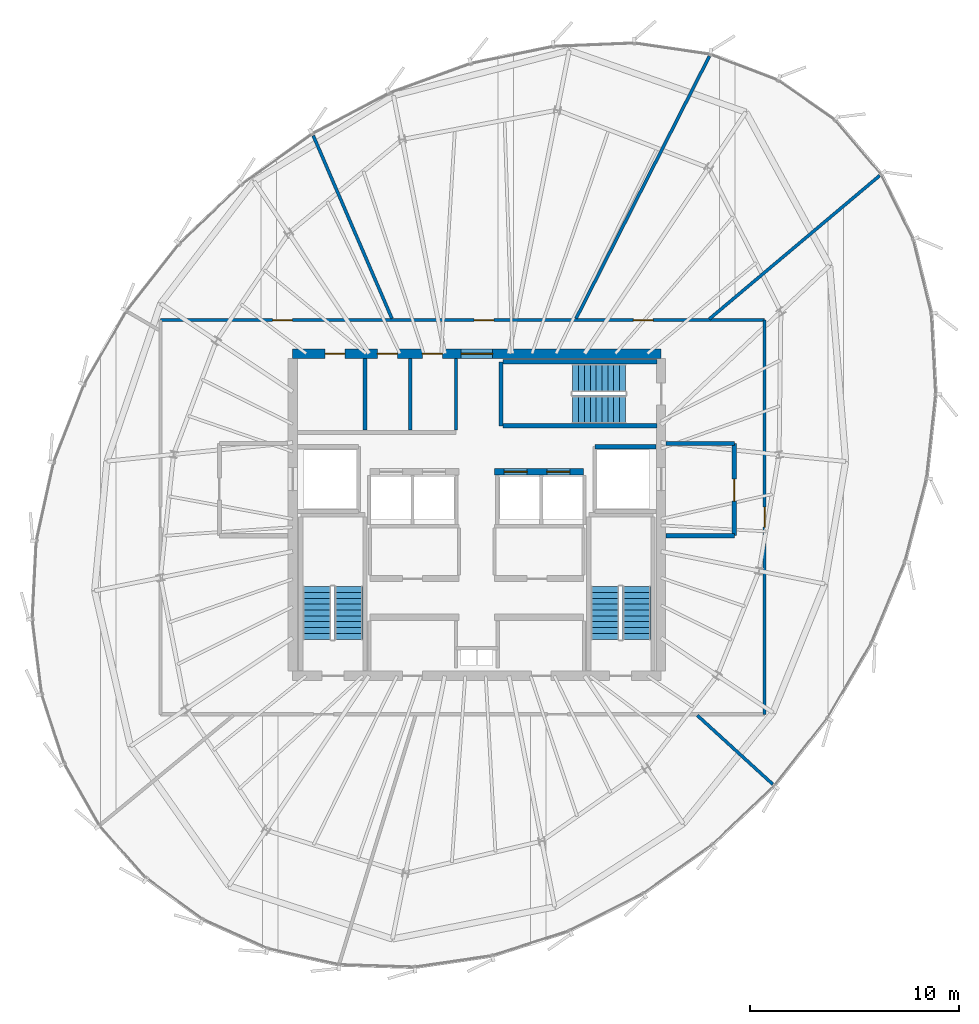
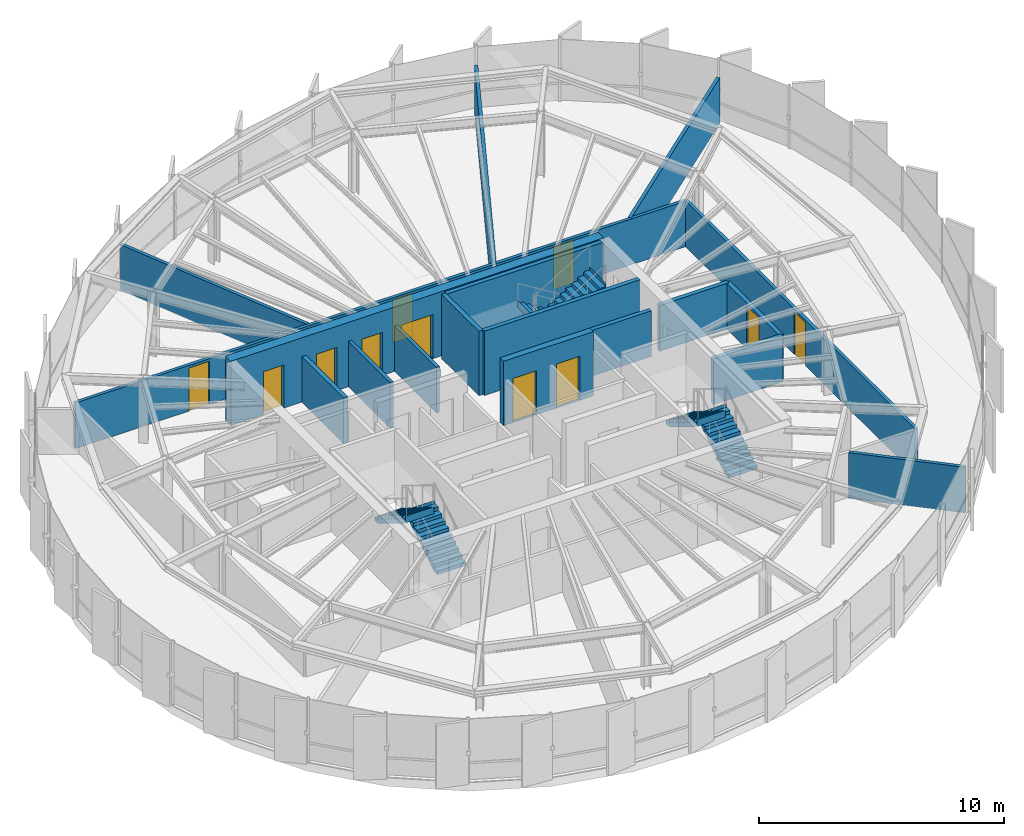
# One storey, part 30 of 36: 18 walls, 11 doors, 6 stair flights, 11 openings, 3 elements without a shape of their own.
"""IFC4 building model written with IfcOpenShell, lengths in metres."""

from ifc_helpers import new_model, si_unit, direction, frame, frame_2d, origin, place, context, subcontext, project, spatial, polyline, rectangle, outline, extrude, source, transform, mapped, material, layer, layer_set, type_object, element, fill, aggregate, save


model = new_model("IFC4")

# Units and contexts
model_context = context("Model", 3, precision=1e-05, world=origin(), true_north=direction((0.0, 1.0)))
body_context = subcontext(model_context, "Body", "Model", "MODEL_VIEW")
ifc_project = project(units=[si_unit("LENGTHUNIT", "METRE"), si_unit("AREAUNIT", "SQUARE_METRE"), si_unit("VOLUMEUNIT", "CUBIC_METRE"), si_unit("PLANEANGLEUNIT", "RADIAN"), si_unit("MASSUNIT", "GRAM", prefix="KILO"), si_unit("THERMODYNAMICTEMPERATUREUNIT", "KELVIN")], contexts=[model_context])

# Site, building, storey
site_placement = place(None, origin())
site = spatial("IfcSite", under=ifc_project, at=site_placement, CompositionType="ELEMENT")
building_placement = place(site_placement, origin())
building = spatial("IfcBuilding", under=site, at=building_placement, Name="Kethvar Cultural Tower", CompositionType="ELEMENT")
storey_placement = place(building_placement, frame((0.0, 0.0, 228.39990234375)))
storey = spatial("IfcBuildingStorey", under=building, at=storey_placement, Name="L59", CompositionType="ELEMENT", Elevation=228.39990234375)

# Wall, openings, doors
ifc_material_1 = material(Name="Concrete C50/60", Category="concrete")
ifc_layer_1 = layer(ifc_material_1, 0.449951171875, Name="Concrete C50/60", Category="concrete")
ifc_layer_set_1 = layer_set([ifc_layer_1], Name="Concrete C50/60 (450 mm)")
wall_type_1 = type_object("IfcWallType", Name="WL-CORE-450", PredefinedType="SHEAR", material=ifc_layer_set_1)
wall_1_placement = place(storey_placement, frame((55.60009765625, 35.5, 0.0), z_axis=(0.0, 0.0, 1.0), x_axis=(-1.0, 0.0, 0.0)))
wall_1 = element("IfcWall", 1, at=wall_1_placement, inside=storey, type_object=wall_type_1, Name="L59 Core Shear Wall N", PredefinedType="SHEAR", context=body_context, shape_type="SweptSolid", body=[
    extrude(rectangle(XDim=17.60009765625, YDim=0.449951171875, at=frame_2d((8.800048828125, 0.0))), origin(), (0.0, 0.0, 1.0), 3.210205078125),
])
opening_1_placement = place(wall_1_placement, frame((8.050048828125, 0.0, 0.0)))
opening_1 = element("IfcOpeningElement", 2, at=opening_1_placement, cuts=wall_1, Name="Opening D-L59-LN", PredefinedType="OPENING", context=body_context, shape_type="SweptSolid", body=[
    extrude(rectangle(XDim=1.5, YDim=2.199951171875, at=frame_2d((0.75, 1.10009765625))), frame((0.0, 0.23486328125, 0.0), z_axis=(0.0, -1.0, 0.0), x_axis=(1.0, 0.0, 0.0)), (0.0, 0.0, 1.0), 0.469970703125),
])
opening_2_placement = place(wall_1_placement, frame((15.10009765625, 0.0, 0.0)))
opening_2 = element("IfcOpeningElement", 3, at=opening_2_placement, cuts=wall_1, Name="Opening D-L59-E1", PredefinedType="OPENING", context=body_context, shape_type="SweptSolid", body=[
    extrude(rectangle(XDim=0.949951171875, YDim=2.14990234375, at=frame_2d((0.47509765625, 1.074951171875))), frame((0.0, 0.23486328125, 0.0), z_axis=(0.0, -1.0, 0.0), x_axis=(1.0, 0.0, 0.0)), (0.0, 0.0, 1.0), 0.469970703125),
])
opening_3_placement = place(wall_1_placement, frame((12.60009765625, 0.0, 0.0)))
opening_3 = element("IfcOpeningElement", 4, at=opening_3_placement, cuts=wall_1, Name="Opening D-L59-W1", PredefinedType="OPENING", context=body_context, shape_type="SweptSolid", body=[
    extrude(rectangle(XDim=0.949951171875, YDim=2.14990234375, at=frame_2d((0.47509765625, 1.074951171875))), frame((0.0, 0.23486328125, 0.0), z_axis=(0.0, -1.0, 0.0), x_axis=(1.0, 0.0, 0.0)), (0.0, 0.0, 1.0), 0.469970703125),
])
opening_4_placement = place(wall_1_placement, frame((10.449951171875, 0.0, 0.0)))
opening_4 = element("IfcOpeningElement", 5, at=opening_4_placement, cuts=wall_1, Name="Opening D-L59-W2", PredefinedType="OPENING", context=body_context, shape_type="SweptSolid", body=[
    extrude(rectangle(XDim=0.949951171875, YDim=2.14990234375, at=frame_2d((0.47509765625, 1.074951171875))), frame((0.0, 0.23486328125, 0.0), z_axis=(0.0, -1.0, 0.0), x_axis=(1.0, 0.0, 0.0)), (0.0, 0.0, 1.0), 0.469970703125),
])
ifc_material_2 = material(Name="Architectural Oak Timber", Category="wood")
door_type_1 = type_object("IfcDoorType", Name="DR-DBL-FD60-1500", OperationType="DOUBLE_DOOR_SINGLE_SWING", PredefinedType="DOOR", material=ifc_material_2)
shared_shape_1 = source(origin(), body_context, "Body", "SweptSolid", [
    extrude(rectangle(XDim=1.5, YDim=2.199951171875, at=frame_2d((0.75, 1.10009765625))), frame((0.0, 0.02490234375, 0.0), z_axis=(0.0, -1.0, 0.0), x_axis=(1.0, 0.0, 0.0)), (0.0, 0.0, 1.0), 0.050048828125),
])
door_1_placement = place(opening_1_placement, origin())
door_1 = element("IfcDoor", 6, at=door_1_placement, inside=storey, type_object=door_type_1, Name="L59 Lift Lobby Concourse Door", OperationType="DOUBLE_DOOR_SINGLE_SWING", OverallHeight=2.199951171875, OverallWidth=1.5, PredefinedType="DOOR", context=body_context, shape_type="MappedRepresentation", body=[
    mapped(shared_shape_1, transform((0.0, 0.0, 0.0), scale=1.0)),
])
fill(opening_1, door_1)
door_type_2 = type_object("IfcDoorType", Name="DR-FD30-950", OperationType="NOTDEFINED", PredefinedType="DOOR", material=ifc_material_2)
shared_shape_2 = source(origin(), body_context, "Body", "SweptSolid", [
    extrude(rectangle(XDim=0.949951171875, YDim=2.14990234375, at=frame_2d((0.47509765625, 1.074951171875))), frame((0.0, 0.02490234375, 0.0), z_axis=(0.0, -1.0, 0.0), x_axis=(1.0, 0.0, 0.0)), (0.0, 0.0, 1.0), 0.050048828125),
])
door_2_placement = place(opening_2_placement, origin())
door_2 = element("IfcDoor", 7, at=door_2_placement, inside=storey, type_object=door_type_2, Name="L59 Electrical Switchgear Door", OperationType="SINGLE_SWING_RIGHT", OverallHeight=2.14990234375, OverallWidth=0.949951171875, PredefinedType="DOOR", context=body_context, shape_type="MappedRepresentation", body=[
    mapped(shared_shape_2, transform((0.0, 0.0, 0.0), scale=1.0)),
])
fill(opening_2, door_2)
door_3_placement = place(opening_3_placement, origin())
door_3 = element("IfcDoor", 8, at=door_3_placement, inside=storey, type_object=door_type_2, Name="L59 Accessible Washroom Door", OperationType="SINGLE_SWING_LEFT", OverallHeight=2.14990234375, OverallWidth=0.949951171875, PredefinedType="DOOR", context=body_context, shape_type="MappedRepresentation", body=[
    mapped(shared_shape_2, transform((0.0, 0.0, 0.0), scale=1.0)),
])
fill(opening_3, door_3)
door_4_placement = place(opening_4_placement, origin())
door_4 = element("IfcDoor", 9, at=door_4_placement, inside=storey, type_object=door_type_2, Name="L59 Public Washroom Door", OperationType="SINGLE_SWING_RIGHT", OverallHeight=2.14990234375, OverallWidth=0.949951171875, PredefinedType="DOOR", context=body_context, shape_type="MappedRepresentation", body=[
    mapped(shared_shape_2, transform((0.0, 0.0, 0.0), scale=1.0)),
])
fill(opening_4, door_4)

# Wall
ifc_material_3 = material(Name="Gypsum Fireboard Partition")
ifc_layer_2 = layer(ifc_material_3, 0.14990234375, Name="Gypsum Fireboard Partition")
ifc_layer_set_2 = layer_set([ifc_layer_2], Name="Gypsum Fireboard Partition (150 mm)")
wall_type_2 = type_object("IfcWallType", Name="WL-FIRE-150", PredefinedType="PARTITIONING", material=ifc_layer_set_2)
wall_2_placement = place(storey_placement, frame((45.800048828125, 31.85009765625, 0.0), z_axis=(0.0, 0.0, 1.0), x_axis=(0.0, 1.0, 0.0)))
element("IfcWall", 10, at=wall_2_placement, inside=storey, type_object=wall_type_2, Name="L59 Sanitary Spine Wall", PredefinedType="PARTITIONING", context=body_context, shape_type="SweptSolid", body=[
    extrude(rectangle(XDim=3.414794921875, YDim=0.14990234375, at=frame_2d((1.70751953125, 0.0))), origin(), (0.0, 0.0, 1.0), 2.280029296875),
])

# Wall, opening, door
wall_3_placement = place(storey_placement, frame((60.550048828125, 18.26904296875, 0.0), z_axis=(0.0, 0.0, 1.0), x_axis=(0.0, 1.0, 0.0)))
wall_3 = element("IfcWall", 11, at=wall_3_placement, inside=storey, type_object=wall_type_2, Name="L59 Corridor Rated Wall E", PredefinedType="PARTITIONING", context=body_context, shape_type="SweptSolid", body=[
    extrude(rectangle(XDim=18.8310546875, YDim=0.14990234375, at=frame_2d((9.41552734375, 0.0))), origin(), (0.0, 0.0, 1.0), 2.280029296875),
])
opening_5_placement = place(wall_3_placement, frame((8.9404296875, 0.0, 0.0)))
opening_5 = element("IfcOpeningElement", 12, at=opening_5_placement, cuts=wall_3, Name="Opening D-L59-03", PredefinedType="OPENING", context=body_context, shape_type="SweptSolid", body=[
    extrude(rectangle(XDim=0.949951171875, YDim=2.14990234375, at=frame_2d((0.47509765625, 1.074951171875))), frame((0.0, 0.0849609375, 0.0), z_axis=(0.0, -1.0, 0.0), x_axis=(1.0, 0.0, 0.0)), (0.0, 0.0, 1.0), 0.169921875),
])
door_5_placement = place(opening_5_placement, origin())
door_5 = element("IfcDoor", 13, at=door_5_placement, inside=storey, type_object=door_type_2, Name="L59 Collection Archive Storage 03 Door", OperationType="SINGLE_SWING_RIGHT", OverallHeight=2.14990234375, OverallWidth=0.949951171875, PredefinedType="DOOR", context=body_context, shape_type="MappedRepresentation", body=[
    mapped(shared_shape_2, transform((0.0, 0.0, 0.0), scale=1.0)),
])
fill(opening_5, door_5)

# Wall, openings, doors
wall_4_placement = place(storey_placement, frame((60.550048828125, 37.10009765625, 0.0), z_axis=(0.0, 0.0, 1.0), x_axis=(-1.0, 0.0, 0.0)))
wall_4 = element("IfcWall", 14, at=wall_4_placement, inside=storey, type_object=wall_type_2, Name="L59 Corridor Rated Wall N", PredefinedType="PARTITIONING", context=body_context, shape_type="SweptSolid", body=[
    extrude(rectangle(XDim=28.8701171875, YDim=0.14990234375, at=frame_2d((14.43505859375, 0.0))), origin(), (0.0, 0.0, 1.0), 2.280029296875),
])
opening_6_placement = place(wall_4_placement, frame((5.32421875, 0.0, 0.0)))
opening_6 = element("IfcOpeningElement", 15, at=opening_6_placement, cuts=wall_4, Name="Opening D-L59-04", PredefinedType="OPENING", context=body_context, shape_type="SweptSolid", body=[
    extrude(rectangle(XDim=0.949951171875, YDim=2.14990234375, at=frame_2d((0.47509765625, 1.074951171875))), frame((0.0, 0.0849609375, 0.0), z_axis=(0.0, -1.0, 0.0), x_axis=(1.0, 0.0, 0.0)), (0.0, 0.0, 1.0), 0.169921875),
])
opening_7_placement = place(wall_4_placement, frame((12.931884765625, 0.0, 0.0)))
opening_7 = element("IfcOpeningElement", 16, at=opening_7_placement, cuts=wall_4, Name="Opening D-L59-05", PredefinedType="OPENING", context=body_context, shape_type="SweptSolid", body=[
    extrude(rectangle(XDim=0.949951171875, YDim=2.14990234375, at=frame_2d((0.47509765625, 1.074951171875))), frame((0.0, 0.0849609375, 0.0), z_axis=(0.0, -1.0, 0.0), x_axis=(1.0, 0.0, 0.0)), (0.0, 0.0, 1.0), 0.169921875),
])
opening_8_placement = place(wall_4_placement, frame((22.557373046875, 0.0, 0.0)))
opening_8 = element("IfcOpeningElement", 17, at=opening_8_placement, cuts=wall_4, Name="Opening D-L59-06", PredefinedType="OPENING", context=body_context, shape_type="SweptSolid", body=[
    extrude(rectangle(XDim=0.949951171875, YDim=2.14990234375, at=frame_2d((0.47509765625, 1.074951171875))), frame((0.0, 0.0849609375, 0.0), z_axis=(0.0, -1.0, 0.0), x_axis=(1.0, 0.0, 0.0)), (0.0, 0.0, 1.0), 0.169921875),
])
door_6_placement = place(opening_6_placement, origin())
door_6 = element("IfcDoor", 18, at=door_6_placement, inside=storey, type_object=door_type_2, Name="L59 Compact Archival Store 04 Door", OperationType="SINGLE_SWING_LEFT", OverallHeight=2.14990234375, OverallWidth=0.949951171875, PredefinedType="DOOR", context=body_context, shape_type="MappedRepresentation", body=[
    mapped(shared_shape_2, transform((0.0, 0.0, 0.0), scale=1.0)),
])
fill(opening_6, door_6)
door_7_placement = place(opening_7_placement, origin())
door_7 = element("IfcDoor", 19, at=door_7_placement, inside=storey, type_object=door_type_2, Name="L59 Staff Tea Pantry 05 Door", OperationType="SINGLE_SWING_RIGHT", OverallHeight=2.14990234375, OverallWidth=0.949951171875, PredefinedType="DOOR", context=body_context, shape_type="MappedRepresentation", body=[
    mapped(shared_shape_2, transform((0.0, 0.0, 0.0), scale=1.0)),
])
fill(opening_7, door_7)
door_8_placement = place(opening_8_placement, origin())
door_8 = element("IfcDoor", 20, at=door_8_placement, inside=storey, type_object=door_type_2, Name="L59 Cartography Reading Library 06 Door", OperationType="SINGLE_SWING_LEFT", OverallHeight=2.14990234375, OverallWidth=0.949951171875, PredefinedType="DOOR", context=body_context, shape_type="MappedRepresentation", body=[
    mapped(shared_shape_2, transform((0.0, 0.0, 0.0), scale=1.0)),
])
fill(opening_8, door_8)

# Wall
ifc_material_4 = material(Name="Concrete C40/50", Category="concrete")
ifc_layer_3 = layer(ifc_material_4, 0.199951171875, Name="Concrete C40/50", Category="concrete")
ifc_layer_set_3 = layer_set([ifc_layer_3], Name="Concrete C40/50 (200 mm)")
wall_type_3 = type_object("IfcWallType", Name="WL-FIRE-200", PredefinedType="PARTITIONING", material=ifc_layer_set_3)
wall_5_placement = place(storey_placement, frame((52.449951171875, 31.050048828125, 0.0), z_axis=(0.0, 0.0, 1.0), x_axis=(1.0, 0.0, 0.0)))
element("IfcWall", 21, at=wall_5_placement, inside=storey, type_object=wall_type_3, Name="L59 FFL-02 Shaft North Wall", PredefinedType="PARTITIONING", context=body_context, shape_type="SweptSolid", body=[
    extrude(rectangle(XDim=2.9150390625, YDim=0.199951171875, at=frame_2d((1.45751953125, 0.0))), origin(), (0.0, 0.0, 1.0), 2.280029296875),
])

# Wall, opening, door
wall_6_placement = place(storey_placement, frame((59.10009765625, 26.800048828125, 0.0), z_axis=(0.0, 0.0, 1.0), x_axis=(0.0, 1.0, 0.0)))
wall_6 = element("IfcWall", 22, at=wall_6_placement, inside=storey, type_object=wall_type_3, Name="L59 Firefighting Lobby 2 Wall", PredefinedType="PARTITIONING", context=body_context, shape_type="SweptSolid", body=[
    extrude(rectangle(XDim=4.39990234375, YDim=0.199951171875, at=frame_2d((2.199951171875, 0.0))), origin(), (0.0, 0.0, 1.0), 2.280029296875),
])
opening_9_placement = place(wall_6_placement, frame((1.64990234375, 0.0, 0.0)))
opening_9 = element("IfcOpeningElement", 23, at=opening_9_placement, cuts=wall_6, Name="Opening D-L59-F2", PredefinedType="OPENING", context=body_context, shape_type="SweptSolid", body=[
    extrude(rectangle(XDim=1.050048828125, YDim=2.14990234375, at=frame_2d((0.52490234375, 1.074951171875))), frame((0.0, 0.10986328125, 0.0), z_axis=(0.0, -1.0, 0.0), x_axis=(1.0, 0.0, 0.0)), (0.0, 0.0, 1.0), 0.219970703125),
])
ifc_material_5 = material(Name="Steel S355J2", Category="steel")
door_type_3 = type_object("IfcDoorType", Name="DR-FD60-1050", OperationType="NOTDEFINED", PredefinedType="DOOR", material=ifc_material_5)
shared_shape_3 = source(origin(), body_context, "Body", "SweptSolid", [
    extrude(rectangle(XDim=1.050048828125, YDim=2.14990234375, at=frame_2d((0.52490234375, 1.074951171875))), frame((0.0, 0.02490234375, 0.0), z_axis=(0.0, -1.0, 0.0), x_axis=(1.0, 0.0, 0.0)), (0.0, 0.0, 1.0), 0.050048828125),
])
door_9_placement = place(opening_9_placement, origin())
door_9 = element("IfcDoor", 24, at=door_9_placement, inside=storey, type_object=door_type_3, Name="L59 Firefighting Lobby 2 Fire Door", OperationType="SINGLE_SWING_LEFT", OverallHeight=2.14990234375, OverallWidth=1.050048828125, PredefinedType="DOOR", context=body_context, shape_type="MappedRepresentation", body=[
    mapped(shared_shape_3, transform((0.0, 0.0, 0.0), scale=1.0)),
])
fill(opening_9, door_9)

# Walls
for number, where, z_axis, x_axis, name in (
    (25, (55.8349609375, 26.800048828125, 0.0), (0.0, 0.0, 1.0), (1.0, 0.0, 0.0), "L59 FF Lobby 2 South Wall"),
    (26, (55.8349609375, 31.199951171875, 0.0), (0.0, 0.0, 1.0), (1.0, 0.0, 0.0), "L59 FF Lobby 2 North Wall"),
):
    element("IfcWall", number, at=place(storey_placement, frame(where, z_axis=z_axis, x_axis=x_axis)), inside=storey, type_object=wall_type_3, Name=name, PredefinedType="PARTITIONING", context=body_context, shape_type="SweptSolid", body=[
        extrude(rectangle(XDim=3.26513671875, YDim=0.199951171875, at=frame_2d((1.632568359375, 0.0))), origin(), (0.0, 0.0, 1.0), 2.280029296875),
    ])
wall_7_placement = place(storey_placement, frame((41.449951171875, 31.85009765625, 0.0), z_axis=(0.0, 0.0, 1.0), x_axis=(0.0, 1.0, 0.0)))
element("IfcWall", 27, at=wall_7_placement, inside=storey, type_object=wall_type_3, Name="L59 NW Core Pocket Wall", PredefinedType="PARTITIONING", context=body_context, shape_type="SweptSolid", body=[
    extrude(rectangle(XDim=3.414794921875, YDim=0.199951171875, at=frame_2d((1.70751953125, 0.0))), origin(), (0.0, 0.0, 1.0), 2.280029296875),
])
ifc_material_6 = material(Name="Gypsum Acoustic Partition")
ifc_layer_4 = layer(ifc_material_6, 0.14990234375, Name="Gypsum Acoustic Partition")
ifc_layer_set_4 = layer_set([ifc_layer_4], Name="Gypsum Acoustic Partition (150 mm)")
wall_type_4 = type_object("IfcWallType", Name="WL-PART-150", PredefinedType="PARTITIONING", material=ifc_layer_set_4)
wall_8_placement = place(storey_placement, frame((57.33349609375, 18.215087890625, 0.0), z_axis=(0.0, 0.0, 1.0), x_axis=(0.738680382418, -0.674055852753, 0.0)))
element("IfcWall", 28, at=wall_8_placement, inside=storey, type_object=wall_type_4, Name="L59 Radial Partition Wall 03", PredefinedType="PARTITIONING", context=body_context, shape_type="SweptSolid", body=[
    extrude(rectangle(XDim=4.880859375, YDim=0.14990234375, at=frame_2d((2.4404296875, 0.0))), origin(), (0.0, 0.0, 1.0), 2.280029296875),
])
wall_9_placement = place(storey_placement, frame((57.90625, 37.151611328125, 0.0), z_axis=(0.0, 0.0, 1.0), x_axis=(0.764985580115, 0.644047406808, 0.0)))
element("IfcWall", 29, at=wall_9_placement, inside=storey, type_object=wall_type_4, Name="L59 Radial Partition Wall 04", PredefinedType="PARTITIONING", context=body_context, shape_type="SweptSolid", body=[
    extrude(rectangle(XDim=10.638671875, YDim=0.14990234375, at=frame_2d((5.3193359375, 0.0))), origin(), (0.0, 0.0, 1.0), 2.280029296875),
])
wall_10_placement = place(storey_placement, frame((51.5380859375, 37.17138671875, 0.0), z_axis=(0.0, 0.0, 1.0), x_axis=(0.453155713702, 0.891431376573, 0.0)))
element("IfcWall", 30, at=wall_10_placement, inside=storey, type_object=wall_type_4, Name="L59 Radial Partition Wall 05", PredefinedType="PARTITIONING", context=body_context, shape_type="SweptSolid", body=[
    extrude(rectangle(XDim=14.06103515625, YDim=0.14990234375, at=frame_2d((7.030517578125, 0.0))), origin(), (0.0, 0.0, 1.0), 2.280029296875),
])
wall_11_placement = place(storey_placement, frame((42.743896484375, 37.173583984375, 0.0), z_axis=(0.0, 0.0, 1.0), x_axis=(-0.395114839757, 0.918631734377, 0.0)))
element("IfcWall", 31, at=wall_11_placement, inside=storey, type_object=wall_type_4, Name="L59 Radial Partition Wall 06", PredefinedType="PARTITIONING", context=body_context, shape_type="SweptSolid", body=[
    extrude(rectangle(XDim=9.5107421875, YDim=0.14990234375, at=frame_2d((4.75537109375, 0.0))), origin(), (0.0, 0.0, 1.0), 2.280029296875),
])
ifc_material_7 = material(Name="Moisture-Resistant Sanitary Chase Wall")
ifc_layer_5 = layer(ifc_material_7, 0.14990234375, Name="Moisture-Resistant Sanitary Chase Wall")
ifc_layer_set_5 = layer_set([ifc_layer_5], Name="Moisture-Resistant Sanitary Chase Wall (150 mm)")
wall_type_5 = type_object("IfcWallType", Name="WL-PLUMB-150", PredefinedType="PLUMBINGWALL", material=ifc_layer_set_5)
wall_12_placement = place(storey_placement, frame((43.6201171875, 31.85009765625, 0.0), z_axis=(0.0, 0.0, 1.0), x_axis=(0.0, 1.0, 0.0)))
element("IfcWall", 32, at=wall_12_placement, inside=storey, type_object=wall_type_5, Name="L59 Sanitary Plumbing Wall", PredefinedType="PLUMBINGWALL", context=body_context, shape_type="SweptSolid", body=[
    extrude(rectangle(XDim=3.414794921875, YDim=0.14990234375, at=frame_2d((1.70751953125, 0.0))), origin(), (0.0, 0.0, 1.0), 2.280029296875),
])

# Wall, openings, doors
ifc_layer_6 = layer(ifc_material_1, 0.300048828125, Name="Concrete C50/60", Category="concrete")
ifc_layer_set_6 = layer_set([ifc_layer_6], Name="Concrete C50/60 (300 mm)")
wall_type_6 = type_object("IfcWallType", Name="WL-SHAFT-300", PredefinedType="SHEAR", material=ifc_layer_set_6)
wall_13_placement = place(storey_placement, frame((47.64990234375, 29.85009765625, 0.0), z_axis=(0.0, 0.0, 1.0), x_axis=(1.0, 0.0, 0.0)))
wall_13 = element("IfcWall", 33, at=wall_13_placement, inside=storey, type_object=wall_type_6, Name="L59 Core Lift Spine Wall MID3E", PredefinedType="SHEAR", context=body_context, shape_type="SweptSolid", body=[
    extrude(rectangle(XDim=4.25, YDim=0.300048828125, at=frame_2d((2.125, 0.0))), origin(), (0.0, 0.0, 1.0), 3.210205078125),
])
opening_10_placement = place(wall_13_placement, frame((0.449951171875, 0.0, 0.0)))
opening_10 = element("IfcOpeningElement", 34, at=opening_10_placement, cuts=wall_13, Name="Opening LD-H3", PredefinedType="OPENING", context=body_context, shape_type="SweptSolid", body=[
    extrude(rectangle(XDim=1.10009765625, YDim=2.199951171875, at=frame_2d((0.550048828125, 1.10009765625))), frame((0.0, 0.159912109375, 0.0), z_axis=(0.0, -1.0, 0.0), x_axis=(1.0, 0.0, 0.0)), (0.0, 0.0, 1.0), 0.320068359375),
])
opening_11_placement = place(wall_13_placement, frame((2.5, 0.0, 0.0)))
opening_11 = element("IfcOpeningElement", 35, at=opening_11_placement, cuts=wall_13, Name="Opening LD-H4", PredefinedType="OPENING", context=body_context, shape_type="SweptSolid", body=[
    extrude(rectangle(XDim=1.10009765625, YDim=2.199951171875, at=frame_2d((0.550048828125, 1.10009765625))), frame((0.0, 0.159912109375, 0.0), z_axis=(0.0, -1.0, 0.0), x_axis=(1.0, 0.0, 0.0)), (0.0, 0.0, 1.0), 0.320068359375),
])
door_type_4 = type_object("IfcDoorType", Name="DR-LIFT-SLIDE-1100", OperationType="NOTDEFINED", PredefinedType="DOOR", material=ifc_material_5)
shared_shape_4 = source(origin(), body_context, "Body", "SweptSolid", [
    extrude(rectangle(XDim=1.10009765625, YDim=2.199951171875, at=frame_2d((0.550048828125, 1.10009765625))), frame((0.0, 0.02490234375, 0.0), z_axis=(0.0, -1.0, 0.0), x_axis=(1.0, 0.0, 0.0)), (0.0, 0.0, 1.0), 0.050048828125),
])
door_10_placement = place(opening_10_placement, origin())
door_10 = element("IfcDoor", 36, at=door_10_placement, inside=storey, type_object=door_type_4, Name="L59 High-Rise Lift Landing Door H3", OperationType="SLIDING_TO_LEFT", OverallHeight=2.199951171875, OverallWidth=1.10009765625, PredefinedType="DOOR", context=body_context, shape_type="MappedRepresentation", body=[
    mapped(shared_shape_4, transform((0.0, 0.0, 0.0), scale=1.0)),
])
fill(opening_10, door_10)
door_11_placement = place(opening_11_placement, origin())
door_11 = element("IfcDoor", 37, at=door_11_placement, inside=storey, type_object=door_type_4, Name="L59 High-Rise Lift Landing Door H4", OperationType="SLIDING_TO_LEFT", OverallHeight=2.199951171875, OverallWidth=1.10009765625, PredefinedType="DOOR", context=body_context, shape_type="MappedRepresentation", body=[
    mapped(shared_shape_4, transform((0.0, 0.0, 0.0), scale=1.0)),
])
fill(opening_11, door_11)

# Walls
ifc_layer_7 = layer(ifc_material_1, 0.199951171875, Name="Concrete C50/60", Category="concrete")
ifc_layer_set_7 = layer_set([ifc_layer_7], Name="Concrete C50/60 (200 mm)")
wall_type_7 = type_object("IfcWallType", Name="WL-STSHAFT-200", PredefinedType="SHEAR", material=ifc_layer_set_7)
wall_14_placement = place(storey_placement, frame((47.949951171875, 32.050048828125, 0.0), z_axis=(0.0, 0.0, 1.0), x_axis=(0.0, 1.0, 0.0)))
element("IfcWall", 38, at=wall_14_placement, inside=storey, type_object=wall_type_7, Name="L59 ST-03 Stair Shaft Wall FAR", PredefinedType="SHEAR", context=body_context, shape_type="SweptSolid", body=[
    extrude(rectangle(XDim=3.06005859375, YDim=0.199951171875, at=frame_2d((1.530029296875, 0.0))), origin(), (0.0, 0.0, 1.0), 3.210205078125),
])
for number, where, z_axis, x_axis, name in (
    (39, (48.050048828125, 35.110107421875, 0.0), (0.0, 0.0, 1.0), (1.0, 0.0, 0.0), "L59 ST-03 Stair Shaft Wall LEFT"),
    (40, (55.39990234375, 32.050048828125, 0.0), (0.0, 0.0, 1.0), (-1.0, 0.0, 0.0), "L59 ST-03 Stair Shaft Wall RIGHT"),
):
    element("IfcWall", number, at=place(storey_placement, frame(where, z_axis=z_axis, x_axis=x_axis)), inside=storey, type_object=wall_type_7, Name=name, PredefinedType="SHEAR", context=body_context, shape_type="SweptSolid", body=[
        extrude(rectangle(XDim=7.349853515625, YDim=0.199951171875, at=frame_2d((3.6748046875, 0.0))), origin(), (0.0, 0.0, 1.0), 3.210205078125),
    ])

# Stair, stair flights
stair_type = type_object("IfcStairType", Name="ST-DOGLEG-135", PredefinedType="HALF_TURN_STAIR", material=ifc_material_4)
stair_1_placement = place(storey_placement, origin())
stair_1 = element("IfcStair", 41, at=stair_1_placement, inside=storey, type_object=stair_type, Name="L59 Core Exit Stair 1", PredefinedType="HALF_TURN_STAIR")
stair_flight_type = type_object("IfcStairFlightType", Name="FL-STRAIGHT-135", PredefinedType="STRAIGHT", material=ifc_material_4)
stair_flight_1_placement = place(storey_placement, frame((40.675048828125, 21.85009765625, 0.0), z_axis=(0.0, 0.0, 1.0), x_axis=(0.0, 1.0, 0.0)))
stair_flight_1 = element("IfcStairFlight", 42, at=stair_flight_1_placement, type_object=stair_flight_type, Name="ST-01 flight 1", NumberOfRisers=10, NumberOfTreads=9, PredefinedType="STRAIGHT", RiserHeight=0.1725, TreadLength=0.28, context=body_context, shape_type="SweptSolid", body=[
    extrude(outline(polyline([(-0.0009765625, -0.0009765625), (-0.0009765625, 0.172607421875), (0.280029296875, 0.172607421875), (0.280029296875, 0.344970703125), (0.56005859375, 0.344970703125), (0.56005859375, 0.517578125), (0.840087890625, 0.517578125), (0.840087890625, 0.68994140625), (1.1201171875, 0.68994140625), (1.1201171875, 0.862548828125), (1.39990234375, 0.862548828125), (1.39990234375, 1.034912109375), (1.679931640625, 1.034912109375), (1.679931640625, 1.20751953125), (1.9599609375, 1.20751953125), (1.9599609375, 1.3798828125), (2.239990234375, 1.3798828125), (2.239990234375, 1.552490234375), (2.52001953125, 1.552490234375), (2.52001953125, 1.72509765625), (2.52099609375, 1.72509765625), (2.52099609375, 1.37646484375), (0.285888671875, 0.0), (0.0, -0.0009765625), (-0.0009765625, -0.0009765625)])), frame((0.0, 0.675048828125, 0.0), z_axis=(0.0, -1.0, 0.0), x_axis=(1.0, 0.0, 0.0)), (0.0, 0.0, 1.0), 1.35009765625),
])
stair_flight_2_placement = place(storey_placement, frame((39.1650390625, 24.3701171875, 1.72509765625), z_axis=(0.0, 0.0, 1.0), x_axis=(0.0, -1.0, 0.0)))
stair_flight_2 = element("IfcStairFlight", 43, at=stair_flight_2_placement, type_object=stair_flight_type, Name="ST-01 flight 2", NumberOfRisers=10, NumberOfTreads=9, PredefinedType="STRAIGHT", RiserHeight=0.1725, TreadLength=0.28, context=body_context, shape_type="SweptSolid", body=[
    extrude(outline(polyline([(-0.0009765625, -0.0009765625), (-0.0009765625, 0.172607421875), (0.280029296875, 0.172607421875), (0.280029296875, 0.344970703125), (0.56005859375, 0.344970703125), (0.56005859375, 0.517578125), (0.840087890625, 0.517578125), (0.840087890625, 0.68994140625), (1.1201171875, 0.68994140625), (1.1201171875, 0.862548828125), (1.39990234375, 0.862548828125), (1.39990234375, 1.034912109375), (1.679931640625, 1.034912109375), (1.679931640625, 1.20751953125), (1.9599609375, 1.20751953125), (1.9599609375, 1.3798828125), (2.239990234375, 1.3798828125), (2.239990234375, 1.552490234375), (2.52001953125, 1.552490234375), (2.52001953125, 1.72509765625), (2.52099609375, 1.72509765625), (2.52099609375, 1.37646484375), (0.285888671875, 0.0), (0.0, -0.0009765625), (-0.0009765625, -0.0009765625)])), frame((0.0, 0.675048828125, 0.0), z_axis=(0.0, -1.0, 0.0), x_axis=(1.0, 0.0, 0.0)), (0.0, 0.0, 1.0), 1.35009765625),
])
aggregate(stair_1, [stair_flight_1, stair_flight_2])

stair_2_placement = place(storey_placement, origin())
stair_2 = element("IfcStair", 44, at=stair_2_placement, inside=storey, type_object=stair_type, Name="L59 Core Exit Stair 2", PredefinedType="HALF_TURN_STAIR")
stair_flight_3_placement = place(storey_placement, frame((54.43505859375, 21.85009765625, 0.0), z_axis=(0.0, 0.0, 1.0), x_axis=(0.0, 1.0, 0.0)))
stair_flight_3 = element("IfcStairFlight", 45, at=stair_flight_3_placement, type_object=stair_flight_type, Name="ST-02 flight 1", NumberOfRisers=10, NumberOfTreads=9, PredefinedType="STRAIGHT", RiserHeight=0.1725, TreadLength=0.28, context=body_context, shape_type="SweptSolid", body=[
    extrude(outline(polyline([(-0.0009765625, -0.0009765625), (-0.0009765625, 0.172607421875), (0.280029296875, 0.172607421875), (0.280029296875, 0.344970703125), (0.56005859375, 0.344970703125), (0.56005859375, 0.517578125), (0.840087890625, 0.517578125), (0.840087890625, 0.68994140625), (1.1201171875, 0.68994140625), (1.1201171875, 0.862548828125), (1.39990234375, 0.862548828125), (1.39990234375, 1.034912109375), (1.679931640625, 1.034912109375), (1.679931640625, 1.20751953125), (1.9599609375, 1.20751953125), (1.9599609375, 1.3798828125), (2.239990234375, 1.3798828125), (2.239990234375, 1.552490234375), (2.52001953125, 1.552490234375), (2.52001953125, 1.72509765625), (2.52099609375, 1.72509765625), (2.52099609375, 1.37646484375), (0.285888671875, 0.0), (0.0, -0.0009765625), (-0.0009765625, -0.0009765625)])), frame((0.0, 0.675048828125, 0.0), z_axis=(0.0, -1.0, 0.0), x_axis=(1.0, 0.0, 0.0)), (0.0, 0.0, 1.0), 1.35009765625),
])
stair_flight_4_placement = place(storey_placement, frame((52.925048828125, 24.3701171875, 1.72509765625), z_axis=(0.0, 0.0, 1.0), x_axis=(0.0, -1.0, 0.0)))
stair_flight_4 = element("IfcStairFlight", 46, at=stair_flight_4_placement, type_object=stair_flight_type, Name="ST-02 flight 2", NumberOfRisers=10, NumberOfTreads=9, PredefinedType="STRAIGHT", RiserHeight=0.1725, TreadLength=0.28, context=body_context, shape_type="SweptSolid", body=[
    extrude(outline(polyline([(-0.0009765625, -0.0009765625), (-0.0009765625, 0.172607421875), (0.280029296875, 0.172607421875), (0.280029296875, 0.344970703125), (0.56005859375, 0.344970703125), (0.56005859375, 0.517578125), (0.840087890625, 0.517578125), (0.840087890625, 0.68994140625), (1.1201171875, 0.68994140625), (1.1201171875, 0.862548828125), (1.39990234375, 0.862548828125), (1.39990234375, 1.034912109375), (1.679931640625, 1.034912109375), (1.679931640625, 1.20751953125), (1.9599609375, 1.20751953125), (1.9599609375, 1.3798828125), (2.239990234375, 1.3798828125), (2.239990234375, 1.552490234375), (2.52001953125, 1.552490234375), (2.52001953125, 1.72509765625), (2.52099609375, 1.72509765625), (2.52099609375, 1.37646484375), (0.285888671875, 0.0), (0.0, -0.0009765625), (-0.0009765625, -0.0009765625)])), frame((0.0, 0.675048828125, 0.0), z_axis=(0.0, -1.0, 0.0), x_axis=(1.0, 0.0, 0.0)), (0.0, 0.0, 1.0), 1.35009765625),
])
aggregate(stair_2, [stair_flight_3, stair_flight_4])

stair_3_placement = place(storey_placement, origin())
stair_3 = element("IfcStair", 47, at=stair_3_placement, inside=storey, type_object=stair_type, Name="L59 Core Exit Stair 3", PredefinedType="HALF_TURN_STAIR")
stair_flight_5_placement = place(storey_placement, frame((53.89990234375, 34.3349609375, 0.0), z_axis=(0.0, 0.0, 1.0), x_axis=(-1.0, 0.0, 0.0)))
stair_flight_5 = element("IfcStairFlight", 48, at=stair_flight_5_placement, type_object=stair_flight_type, Name="ST-03 flight 1", NumberOfRisers=10, NumberOfTreads=9, PredefinedType="STRAIGHT", RiserHeight=0.1725, TreadLength=0.28, context=body_context, shape_type="SweptSolid", body=[
    extrude(outline(polyline([(-0.0009765625, -0.0009765625), (-0.0009765625, 0.172607421875), (0.280029296875, 0.172607421875), (0.280029296875, 0.344970703125), (0.56005859375, 0.344970703125), (0.56005859375, 0.517578125), (0.840087890625, 0.517578125), (0.840087890625, 0.68994140625), (1.1201171875, 0.68994140625), (1.1201171875, 0.862548828125), (1.39990234375, 0.862548828125), (1.39990234375, 1.034912109375), (1.679931640625, 1.034912109375), (1.679931640625, 1.20751953125), (1.9599609375, 1.20751953125), (1.9599609375, 1.3798828125), (2.239990234375, 1.3798828125), (2.239990234375, 1.552490234375), (2.52001953125, 1.552490234375), (2.52001953125, 1.72509765625), (2.52099609375, 1.72509765625), (2.52099609375, 1.37646484375), (0.285888671875, 0.0), (0.0, -0.0009765625), (-0.0009765625, -0.0009765625)])), frame((0.0, 0.675048828125, 0.0), z_axis=(0.0, -1.0, 0.0), x_axis=(1.0, 0.0, 0.0)), (0.0, 0.0, 1.0), 1.35009765625),
])
stair_flight_6_placement = place(storey_placement, frame((51.3798828125, 32.824951171875, 1.72509765625), z_axis=(0.0, 0.0, 1.0), x_axis=(1.0, 0.0, 0.0)))
stair_flight_6 = element("IfcStairFlight", 49, at=stair_flight_6_placement, type_object=stair_flight_type, Name="ST-03 flight 2", NumberOfRisers=10, NumberOfTreads=9, PredefinedType="STRAIGHT", RiserHeight=0.1725, TreadLength=0.28, context=body_context, shape_type="SweptSolid", body=[
    extrude(outline(polyline([(-0.0009765625, -0.0009765625), (-0.0009765625, 0.172607421875), (0.280029296875, 0.172607421875), (0.280029296875, 0.344970703125), (0.56005859375, 0.344970703125), (0.56005859375, 0.517578125), (0.840087890625, 0.517578125), (0.840087890625, 0.68994140625), (1.1201171875, 0.68994140625), (1.1201171875, 0.862548828125), (1.39990234375, 0.862548828125), (1.39990234375, 1.034912109375), (1.679931640625, 1.034912109375), (1.679931640625, 1.20751953125), (1.9599609375, 1.20751953125), (1.9599609375, 1.3798828125), (2.239990234375, 1.3798828125), (2.239990234375, 1.552490234375), (2.52001953125, 1.552490234375), (2.52001953125, 1.72509765625), (2.52099609375, 1.72509765625), (2.52099609375, 1.37646484375), (0.285888671875, 0.0), (0.0, -0.0009765625), (-0.0009765625, -0.0009765625)])), frame((0.0, 0.675048828125, 0.0), z_axis=(0.0, -1.0, 0.0), x_axis=(1.0, 0.0, 0.0)), (0.0, 0.0, 1.0), 1.35009765625),
])
aggregate(stair_3, [stair_flight_5, stair_flight_6])

save(model, "model.ifc")
